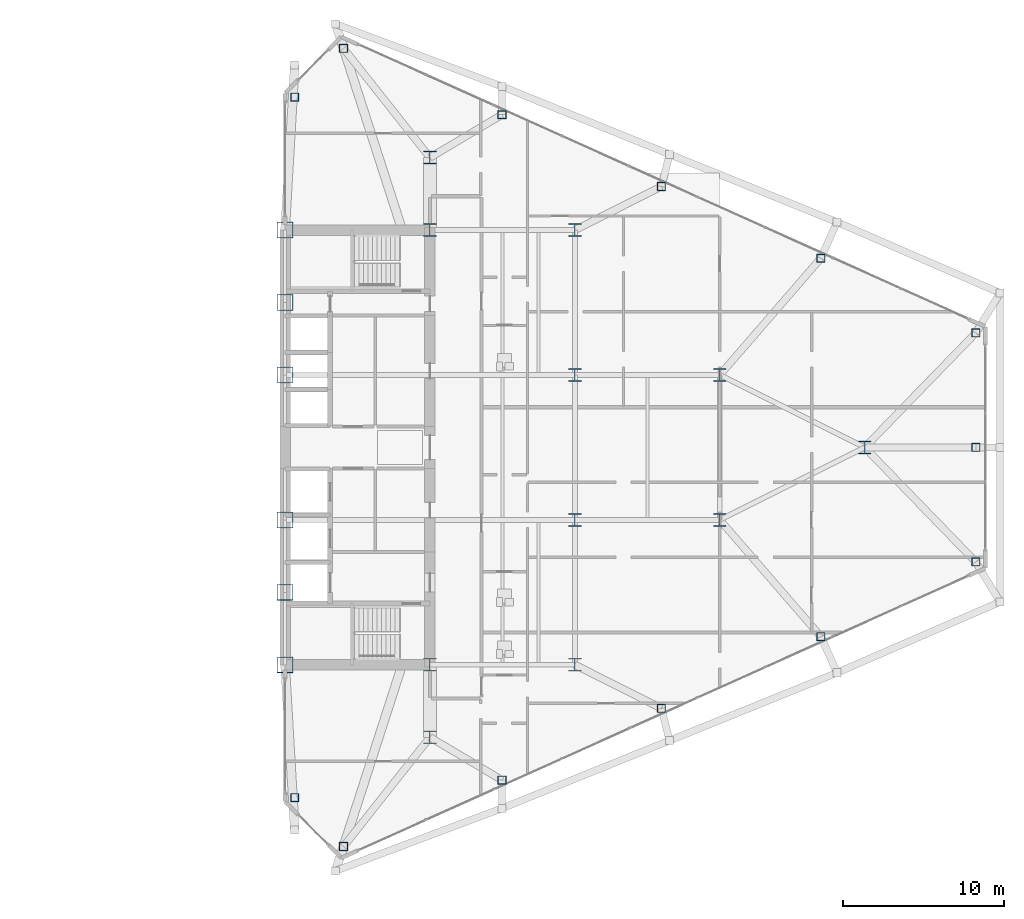
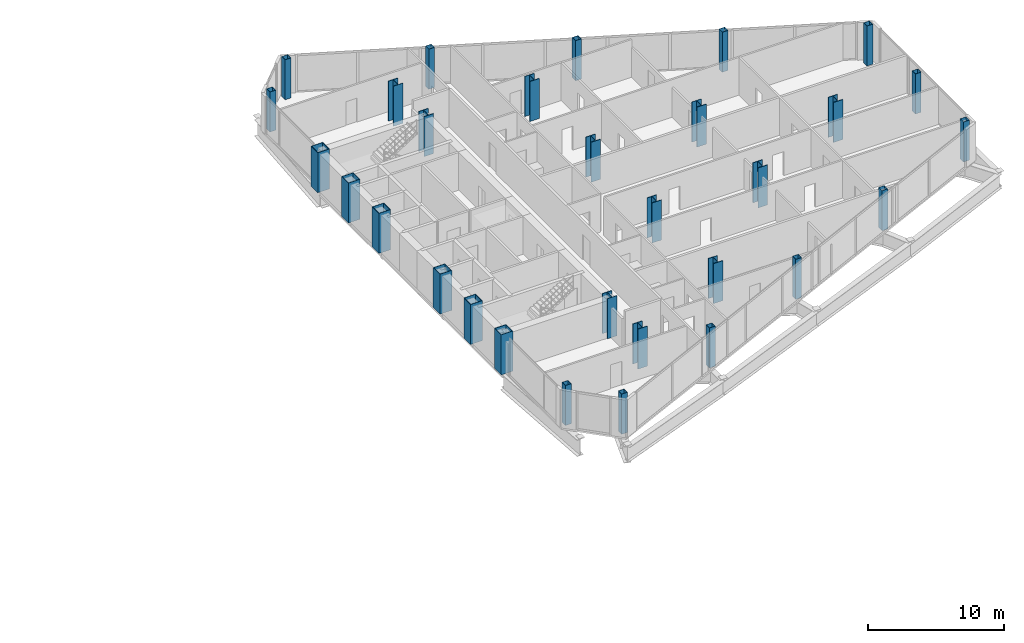
# One storey, part 2 of 29: 30 columns.
"""IFC4 building model written with IfcOpenShell, lengths in metres."""

from ifc_helpers import new_model, si_unit, direction, frame, origin, origin_2d, place, context, subcontext, project, spatial, hollow_rectangle, i_section, extrude, source, transform, mapped, material, material_profile, profile_set, type_object, type_shapes, element, save


model = new_model("IFC4")

# Units and contexts
model_context = context("Model", 3, precision=1e-05, world=origin(), true_north=direction((0.0, 1.0)))
body_context = subcontext(model_context, "Body", "Model", "MODEL_VIEW")
ifc_project = project(units=[si_unit("LENGTHUNIT", "METRE"), si_unit("AREAUNIT", "SQUARE_METRE"), si_unit("VOLUMEUNIT", "CUBIC_METRE"), si_unit("PLANEANGLEUNIT", "RADIAN"), si_unit("MASSUNIT", "GRAM", prefix="KILO")], contexts=[model_context])

# Site, building, storey
site_placement = place(None, origin())
site = spatial("IfcSite", under=ifc_project, at=site_placement, CompositionType="ELEMENT")
building_placement = place(site_placement, origin())
building = spatial("IfcBuilding", under=site, at=building_placement, Name="Seokmaru Belvedere", CompositionType="ELEMENT")
storey_placement = place(building_placement, frame((0.0, 0.0, 62.10009765625)))
storey = spatial("IfcBuildingStorey", under=building, at=storey_placement, Name="L16", CompositionType="ELEMENT", Elevation=62.10009765625)

# Columns
ifc_material_1 = material(Name="Steel SM355 (355 MPa)", Category="steel")
ifc_material_profile_1 = material_profile(ifc_material_1, hollow_rectangle(XDim=0.5, YDim=0.5, WallThickness=0.02001953125, at=origin_2d()), Name="HSS-500x500x20")
ifc_profile_set_1 = profile_set([ifc_material_profile_1], Name="Steel SM355 (355 MPa)")
column_type_1 = type_object("IfcColumnType", Name="Perimeter Facet Column HSS-500", PredefinedType="COLUMN", material=ifc_profile_set_1)
shared_shape_1 = source(origin(), body_context, "Body", "SweptSolid", [
    extrude(hollow_rectangle(XDim=0.5, YDim=0.5, WallThickness=0.02001953125, at=origin_2d()), origin(), (0.0, 0.0, 1.0), 3.599853515625),
])
type_shapes(column_type_1, [shared_shape_1])
for number, where, z_axis, x_axis, name in (
    (1, (31.13134765625, -24.782958984375, 0.0), (0.0, 0.0, 1.0), (1.0, 0.0, 0.0), "L16 Column EF1"),
    (2, (70.39990234375, -7.112060546875, 0.0), (0.0, 0.0, 1.0), (1.0, 0.0, 0.0), "L16 Column EF2"),
    (3, (70.39990234375, 7.112060546875, 0.0), (0.0, 0.0, 1.0), (1.0, 0.0, 0.0), "L16 Column EF3"),
    (4, (31.13134765625, 24.782958984375, 0.0), (0.0, 0.0, 1.0), (1.0, 0.0, 0.0), "L16 Column EF4"),
    (5, (28.10009765625, 21.75146484375, 0.0), (0.0, 0.0, 1.0), (1.0, 0.0, 0.0), "L16 Column EF5"),
    (6, (28.10009765625, -21.75146484375, 0.0), (0.0, 0.0, 1.0), (1.0, 0.0, 0.0), "L16 Column EF6"),
    (7, (40.97265625, -20.661376953125, 0.0), (0.0, 0.0, 1.0), (1.0, 0.0, 0.0), "L16 Column EFLK_S1"),
    (8, (50.875, -16.205322265625, 0.0), (0.0, 0.0, 1.0), (1.0, 0.0, 0.0), "L16 Column EFLK_S2"),
    (9, (60.777587890625, -11.749267578125, 0.0), (0.0, 0.0, 1.0), (1.0, 0.0, 0.0), "L16 Column EFLK_S3"),
    (10, (40.97265625, 20.661376953125, 0.0), (0.0, 0.0, 1.0), (1.0, 0.0, 0.0), "L16 Column EFLK_N1"),
    (11, (50.875, 16.205322265625, 0.0), (0.0, 0.0, 1.0), (1.0, 0.0, 0.0), "L16 Column EFLK_N2"),
    (12, (60.777587890625, 11.749267578125, 0.0), (0.0, 0.0, 1.0), (1.0, 0.0, 0.0), "L16 Column EFLK_N3"),
    (13, (70.39990234375, 0.0, 0.0), (0.0, 0.0, 1.0), (1.0, 0.0, 0.0), "L16 Column EF_APXM"),
):
    element("IfcColumn", number, at=place(storey_placement, frame(where, z_axis=z_axis, x_axis=x_axis)), inside=storey, type_object=column_type_1, Name=name, PredefinedType="COLUMN", context=body_context, shape_type="MappedRepresentation", body=[
        mapped(shared_shape_1, transform((0.0, 0.0, 0.0), scale=1.0)),
    ])
ifc_material_2 = material(Name="Steel HSA650 (650 MPa)", Category="steel")
ifc_material_profile_2 = material_profile(ifc_material_2, hollow_rectangle(XDim=1.0, YDim=1.0, WallThickness=0.0419921875, at=origin_2d()), Name="BOX-1000x1000x42")
ifc_profile_set_2 = profile_set([ifc_material_profile_2], Name="Steel HSA650 (650 MPa)")
column_type_2 = type_object("IfcColumnType", Name="Portal Spine Column BOX-1000", PredefinedType="COLUMN", material=ifc_profile_set_2)
shared_shape_2 = source(origin(), body_context, "Body", "SweptSolid", [
    extrude(hollow_rectangle(XDim=1.0, YDim=1.0, WallThickness=0.0419921875, at=origin_2d()), origin(), (0.0, 0.0, 1.0), 3.599853515625),
])
type_shapes(column_type_2, [shared_shape_2])
for number, where, z_axis, x_axis, name in (
    (14, (27.5, -13.5, 0.0), (0.0, 0.0, 1.0), (1.0, 0.0, 0.0), "L16 Column ES1"),
    (15, (27.5, -9.0, 0.0), (0.0, 0.0, 1.0), (1.0, 0.0, 0.0), "L16 Column ES2"),
    (16, (27.5, -4.5, 0.0), (0.0, 0.0, 1.0), (1.0, 0.0, 0.0), "L16 Column ES3"),
    (17, (27.5, 4.5, 0.0), (0.0, 0.0, 1.0), (1.0, 0.0, 0.0), "L16 Column ES4"),
    (18, (27.5, 9.0, 0.0), (0.0, 0.0, 1.0), (1.0, 0.0, 0.0), "L16 Column ES5"),
    (19, (27.5, 13.5, 0.0), (0.0, 0.0, 1.0), (1.0, 0.0, 0.0), "L16 Column ES6"),
):
    element("IfcColumn", number, at=place(storey_placement, frame(where, z_axis=z_axis, x_axis=x_axis)), inside=storey, type_object=column_type_2, Name=name, PredefinedType="COLUMN", context=body_context, shape_type="MappedRepresentation", body=[
        mapped(shared_shape_2, transform((0.0, 0.0, 0.0), scale=1.0)),
    ])
ifc_material_profile_3 = material_profile(ifc_material_1, i_section(OverallWidth=0.800048828125, OverallDepth=0.800048828125, WebThickness=0.031982421875, FlangeThickness=0.050048828125, at=origin_2d()), Name="H-800x800x32x50")
ifc_profile_set_3 = profile_set([ifc_material_profile_3], Name="Steel SM355 (355 MPa)")
column_type_3 = type_object("IfcColumnType", Name="Lower-Mid Interior Column H-800", PredefinedType="COLUMN", material=ifc_profile_set_3)
shared_shape_3 = source(origin(), body_context, "Body", "SweptSolid", [
    extrude(i_section(OverallWidth=0.800048828125, OverallDepth=0.800048828125, WebThickness=0.031982421875, FlangeThickness=0.050048828125, at=origin_2d()), origin(), (0.0, 0.0, 1.0), 3.599853515625),
])
type_shapes(column_type_3, [shared_shape_3])
for number, where, z_axis, x_axis, name in (
    (20, (36.5, -18.0, 0.0), (0.0, 0.0, 1.0), (1.0, 0.0, 0.0), "L16 Column EC1"),
    (21, (36.5, -13.5, 0.0), (0.0, 0.0, 1.0), (1.0, 0.0, 0.0), "L16 Column EC2"),
    (22, (36.5, 13.5, 0.0), (0.0, 0.0, 1.0), (1.0, 0.0, 0.0), "L16 Column EC3"),
    (23, (36.5, 18.0, 0.0), (0.0, 0.0, 1.0), (1.0, 0.0, 0.0), "L16 Column EC4"),
    (24, (45.5, -13.5, 0.0), (0.0, 0.0, 1.0), (1.0, 0.0, 0.0), "L16 Column EG5_1"),
    (25, (45.5, -4.5, 0.0), (0.0, 0.0, 1.0), (1.0, 0.0, 0.0), "L16 Column EG5_2"),
    (26, (45.5, 4.5, 0.0), (0.0, 0.0, 1.0), (1.0, 0.0, 0.0), "L16 Column EG5_3"),
    (27, (45.5, 13.5, 0.0), (0.0, 0.0, 1.0), (1.0, 0.0, 0.0), "L16 Column EG5_4"),
    (28, (54.5, -4.5, 0.0), (0.0, 0.0, 1.0), (1.0, 0.0, 0.0), "L16 Column EG4P_1"),
    (29, (54.5, 4.5, 0.0), (0.0, 0.0, 1.0), (1.0, 0.0, 0.0), "L16 Column EG4P_2"),
    (30, (63.5, 0.0, 0.0), (0.0, 0.0, 1.0), (1.0, 0.0, 0.0), "L16 Column EG3P_1"),
):
    element("IfcColumn", number, at=place(storey_placement, frame(where, z_axis=z_axis, x_axis=x_axis)), inside=storey, type_object=column_type_3, Name=name, PredefinedType="COLUMN", context=body_context, shape_type="MappedRepresentation", body=[
        mapped(shared_shape_3, transform((0.0, 0.0, 0.0), scale=1.0)),
    ])

save(model, "model.ifc")
